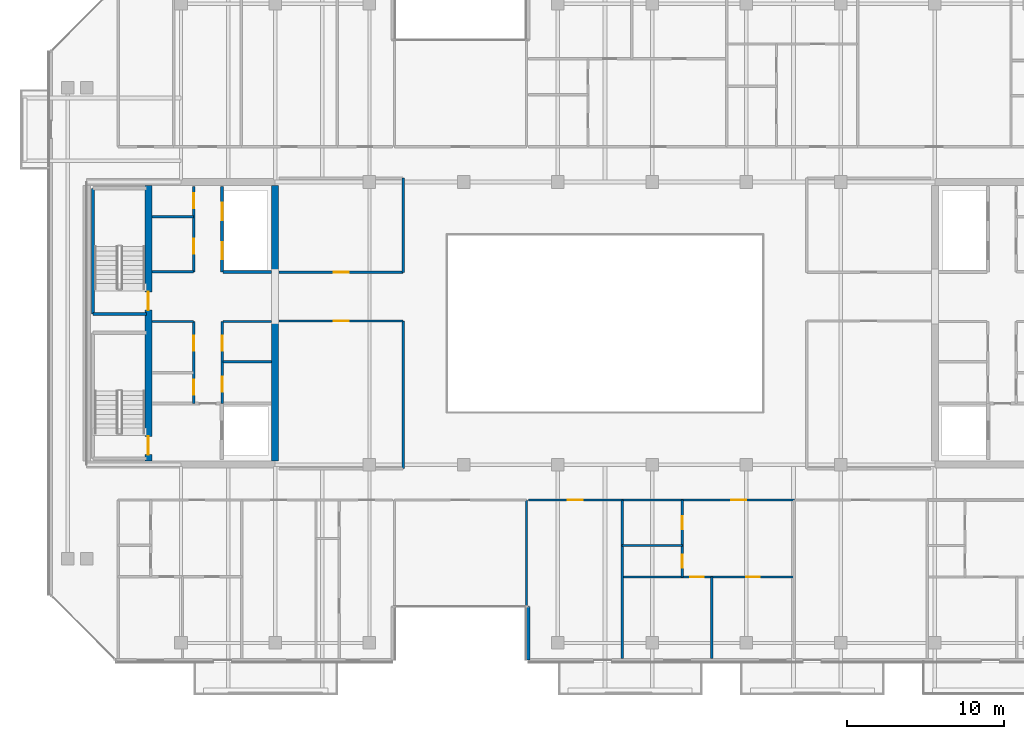
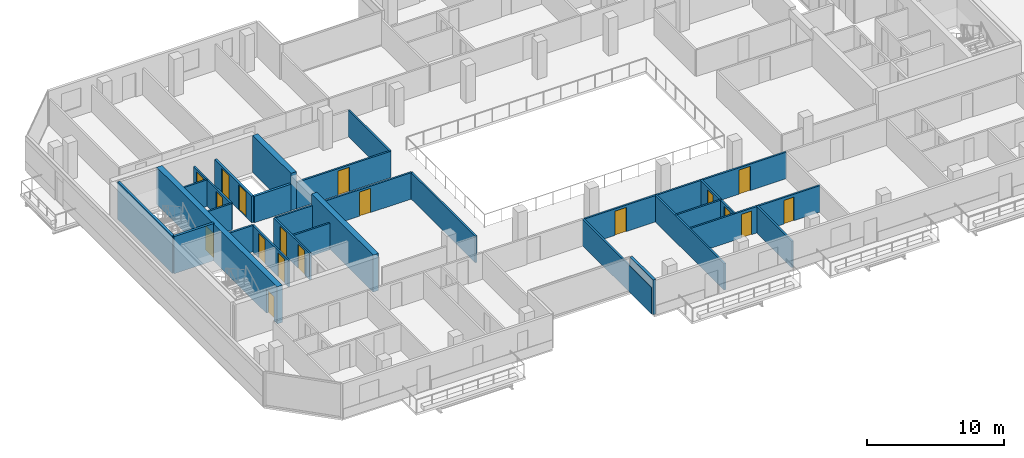
# One storey, part 19 of 29: 28 walls, 18 doors, 18 openings.
"""IFC4 building model written with IfcOpenShell, lengths in metres."""

from ifc_helpers import new_model, si_unit, direction, frame, frame_2d, origin, place, context, subcontext, project, spatial, rectangle, extrude, material, layer, layer_set, type_object, element, fill, save


model = new_model("IFC4")

# Units and contexts
model_context = context("Model", 3, precision=1e-05, world=origin(), true_north=direction((0.0, 1.0)))
body_context = subcontext(model_context, "Body", "Model", "MODEL_VIEW")
ifc_project = project(units=[si_unit("LENGTHUNIT", "METRE"), si_unit("AREAUNIT", "SQUARE_METRE"), si_unit("VOLUMEUNIT", "CUBIC_METRE"), si_unit("PLANEANGLEUNIT", "RADIAN"), si_unit("MASSUNIT", "GRAM", prefix="KILO")], contexts=[model_context])

# Site, building, storey
site_placement = place(None, origin())
site = spatial("IfcSite", under=ifc_project, at=site_placement, CompositionType="ELEMENT")
building_placement = place(site_placement, origin())
building = spatial("IfcBuilding", under=site, at=building_placement, Name="Tanjung Sevakor Pilgrim Tower", CompositionType="ELEMENT")
storey_placement = place(building_placement, frame((0.0, 0.0, 181.830078125)))
storey = spatial("IfcBuildingStorey", under=building, at=storey_placement, Name="L50", CompositionType="ELEMENT", Elevation=181.830078125)

# Walls
ifc_material_1 = material(Name="Concrete C60/75", Category="concrete")
ifc_layer_1 = layer(ifc_material_1, 0.449951171875)
ifc_layer_set_1 = layer_set([ifc_layer_1], Name="WALL-CW-450")
wall_type_1 = type_object("IfcWallType", Name="WALL-CW-450", PredefinedType="SHEAR", material=ifc_layer_set_1)
wall_1_placement = place(storey_placement, frame((36.0, 24.824951171875, 0.0), z_axis=(0.0, 0.0, 1.0), x_axis=(0.0, 1.0, 0.0)))
element("IfcWall", 1, at=wall_1_placement, inside=storey, type_object=wall_type_1, Name="L50 W Core Inner Shear Wall South", PredefinedType="SHEAR", context=body_context, shape_type="SweptSolid", body=[
    extrude(rectangle(XDim=8.97509765625, YDim=0.449951171875, at=frame_2d((4.487548828125, 0.0))), origin(), (0.0, 0.0, 1.0), 3.2998046875),
])
wall_2_placement = place(storey_placement, frame((36.0, 36.800048828125, 0.0), z_axis=(0.0, 0.0, 1.0), x_axis=(0.0, 1.0, 0.0)))
element("IfcWall", 2, at=wall_2_placement, inside=storey, type_object=wall_type_1, Name="L50 W Core Inner Shear Wall North", PredefinedType="SHEAR", context=body_context, shape_type="SweptSolid", body=[
    extrude(rectangle(XDim=5.574951171875, YDim=0.449951171875, at=frame_2d((2.78759765625, 0.0))), origin(), (0.0, 0.0, 1.0), 3.2998046875),
])

# Wall, openings, doors
wall_3_placement = place(storey_placement, frame((27.925048828125, 24.824951171875, 0.0), z_axis=(0.0, 0.0, 1.0), x_axis=(0.0, 1.0, 0.0)))
wall_3 = element("IfcWall", 3, at=wall_3_placement, inside=storey, type_object=wall_type_1, Name="L50 W Core Stair Spine Wall", PredefinedType="SHEAR", context=body_context, shape_type="SweptSolid", body=[
    extrude(rectangle(XDim=17.550048828125, YDim=0.449951171875, at=frame_2d((8.77490234375, 0.0))), origin(), (0.0, 0.0, 1.0), 3.2998046875),
])
opening_1_placement = place(wall_3_placement, frame((0.425048828125, 0.0, 0.0)))
opening_1 = element("IfcOpeningElement", 4, at=opening_1_placement, cuts=wall_3, Name="Opening ID-ST1", PredefinedType="OPENING", context=body_context, shape_type="SweptSolid", body=[
    extrude(rectangle(XDim=1.14990234375, YDim=2.14990234375, at=frame_2d((0.574951171875, 1.074951171875))), frame((0.0, 0.23486328125, 0.0), z_axis=(0.0, -1.0, 0.0), x_axis=(1.0, 0.0, 0.0)), (0.0, 0.0, 1.0), 0.469970703125),
])
opening_2_placement = place(wall_3_placement, frame((9.625, 0.0, 0.0)))
opening_2 = element("IfcOpeningElement", 5, at=opening_2_placement, cuts=wall_3, Name="Opening ID-ST1", PredefinedType="OPENING", context=body_context, shape_type="SweptSolid", body=[
    extrude(rectangle(XDim=1.14990234375, YDim=2.14990234375, at=frame_2d((0.574951171875, 1.074951171875))), frame((0.0, 0.23486328125, 0.0), z_axis=(0.0, -1.0, 0.0), x_axis=(1.0, 0.0, 0.0)), (0.0, 0.0, 1.0), 0.469970703125),
])
ifc_material_2 = material(Name="Fire-Rated Steel S355J2", Category="steel")
door_type_1 = type_object("IfcDoorType", Name="DT-FIRE-1150", OperationType="NOTDEFINED", PredefinedType="DOOR", material=ifc_material_2)
door_1_placement = place(opening_1_placement, origin())
door_1 = element("IfcDoor", 6, at=door_1_placement, inside=storey, type_object=door_type_1, Name="L50 TS-W1 Stair Fire Door", OperationType="SINGLE_SWING_RIGHT", OverallHeight=2.14990234375, OverallWidth=1.14990234375, PredefinedType="DOOR", context=body_context, shape_type="SweptSolid", body=[
    extrude(rectangle(XDim=1.14990234375, YDim=2.14990234375, at=frame_2d((0.574951171875, 1.074951171875))), frame((0.0, 0.02490234375, 0.0), z_axis=(0.0, -1.0, 0.0), x_axis=(1.0, 0.0, 0.0)), (0.0, 0.0, 1.0), 0.050048828125),
])
fill(opening_1, door_1)
door_2_placement = place(opening_2_placement, origin())
door_2 = element("IfcDoor", 7, at=door_2_placement, inside=storey, type_object=door_type_1, Name="L50 TS-W2 Stair Fire Door", OperationType="SINGLE_SWING_LEFT", OverallHeight=2.14990234375, OverallWidth=1.14990234375, PredefinedType="DOOR", context=body_context, shape_type="SweptSolid", body=[
    extrude(rectangle(XDim=1.14990234375, YDim=2.14990234375, at=frame_2d((0.574951171875, 1.074951171875))), frame((0.0, 0.02490234375, 0.0), z_axis=(0.0, -1.0, 0.0), x_axis=(1.0, 0.0, 0.0)), (0.0, 0.0, 1.0), 0.050048828125),
])
fill(opening_2, door_2)

# Wall
ifc_material_3 = material(Name="Concrete C40/50", Category="concrete")
ifc_layer_2 = layer(ifc_material_3, 0.14990234375)
ifc_layer_set_2 = layer_set([ifc_layer_2], Name="WT-COMP-150")
wall_type_2 = type_object("IfcWallType", Name="WT-COMP-150", PredefinedType="SOLIDWALL", material=ifc_layer_set_2)
wall_4_placement = place(storey_placement, frame((28.169921875, 33.719970703125, 0.0), z_axis=(0.0, 0.0, 1.0), x_axis=(1.0, 0.0, 0.0)))
element("IfcWall", 8, at=wall_4_placement, inside=storey, type_object=wall_type_2, Name="L50 Partition IW-L50-004", PredefinedType="SOLIDWALL", context=body_context, shape_type="SweptSolid", body=[
    extrude(rectangle(XDim=2.630126953125, YDim=0.14990234375, at=frame_2d((1.31494140625, 0.0))), origin(), (0.0, 0.0, 1.0), 2.35009765625),
])

# Wall, openings, doors
wall_5_placement = place(storey_placement, frame((30.820068359375, 28.5, 0.0), z_axis=(0.0, 0.0, 1.0), x_axis=(0.0, 1.0, 0.0)))
wall_5 = element("IfcWall", 9, at=wall_5_placement, inside=storey, type_object=wall_type_2, Name="L50 Partition IW-L50-005", PredefinedType="SOLIDWALL", context=body_context, shape_type="SweptSolid", body=[
    extrude(rectangle(XDim=5.219970703125, YDim=0.14990234375, at=frame_2d((2.60986328125, 0.0))), origin(), (0.0, 0.0, 1.0), 2.35009765625),
])
opening_3_placement = place(wall_5_placement, frame((0.550048828125, 0.0, 0.0)))
opening_3 = element("IfcOpeningElement", 10, at=opening_3_placement, cuts=wall_5, Name="Opening ID-FD2", PredefinedType="OPENING", context=body_context, shape_type="SweptSolid", body=[
    extrude(rectangle(XDim=0.949951171875, YDim=2.14990234375, at=frame_2d((0.47509765625, 1.074951171875))), frame((0.0, 0.0849609375, 0.0), z_axis=(0.0, -1.0, 0.0), x_axis=(1.0, 0.0, 0.0)), (0.0, 0.0, 1.0), 0.169921875),
])
opening_4_placement = place(wall_5_placement, frame((3.35009765625, 0.0, 0.0)))
opening_4 = element("IfcOpeningElement", 11, at=opening_4_placement, cuts=wall_5, Name="Opening ID-FD2", PredefinedType="OPENING", context=body_context, shape_type="SweptSolid", body=[
    extrude(rectangle(XDim=0.949951171875, YDim=2.14990234375, at=frame_2d((0.47509765625, 1.074951171875))), frame((0.0, 0.0849609375, 0.0), z_axis=(0.0, -1.0, 0.0), x_axis=(1.0, 0.0, 0.0)), (0.0, 0.0, 1.0), 0.169921875),
])
ifc_material_4 = material(Name="Fire-Rated Timber", Category="wood")
door_type_2 = type_object("IfcDoorType", Name="DT-FIRE-950", OperationType="NOTDEFINED", PredefinedType="DOOR", material=ifc_material_4)
door_3_placement = place(opening_3_placement, origin())
door_3 = element("IfcDoor", 12, at=door_3_placement, inside=storey, type_object=door_type_2, Name="L50 Cleaner Store Door", OperationType="SINGLE_SWING_LEFT", OverallHeight=2.14990234375, OverallWidth=0.949951171875, PredefinedType="DOOR", context=body_context, shape_type="SweptSolid", body=[
    extrude(rectangle(XDim=0.949951171875, YDim=2.14990234375, at=frame_2d((0.47509765625, 1.074951171875))), frame((0.0, 0.02490234375, 0.0), z_axis=(0.0, -1.0, 0.0), x_axis=(1.0, 0.0, 0.0)), (0.0, 0.0, 1.0), 0.050048828125),
])
fill(opening_3, door_3)
door_4_placement = place(opening_4_placement, origin())
door_4 = element("IfcDoor", 13, at=door_4_placement, inside=storey, type_object=door_type_2, Name="L50 Housekeeping Pantry Door", OperationType="SINGLE_SWING_RIGHT", OverallHeight=2.14990234375, OverallWidth=0.949951171875, PredefinedType="DOOR", context=body_context, shape_type="SweptSolid", body=[
    extrude(rectangle(XDim=0.949951171875, YDim=2.14990234375, at=frame_2d((0.47509765625, 1.074951171875))), frame((0.0, 0.02490234375, 0.0), z_axis=(0.0, -1.0, 0.0), x_axis=(1.0, 0.0, 0.0)), (0.0, 0.0, 1.0), 0.050048828125),
])
fill(opening_4, door_4)

# Walls
for number, where, z_axis, x_axis, name in (
    (14, (32.679931640625, 31.14990234375, 0.0), (0.0, 0.0, 1.0), (1.0, 0.0, 0.0), "L50 Partition IW-L50-006"),
    (15, (32.679931640625, 33.719970703125, 0.0), (0.0, 0.0, 1.0), (1.0, 0.0, 0.0), "L50 Partition IW-L50-007"),
):
    element("IfcWall", number, at=place(storey_placement, frame(where, z_axis=z_axis, x_axis=x_axis)), inside=storey, type_object=wall_type_2, Name=name, PredefinedType="SOLIDWALL", context=body_context, shape_type="SweptSolid", body=[
        extrude(rectangle(XDim=3.074951171875, YDim=0.14990234375, at=frame_2d((1.53759765625, 0.0))), origin(), (0.0, 0.0, 1.0), 2.35009765625),
    ])

# Wall, openings, doors
wall_6_placement = place(storey_placement, frame((32.6201171875, 28.5, 0.0), z_axis=(0.0, 0.0, 1.0), x_axis=(0.0, 1.0, 0.0)))
wall_6 = element("IfcWall", 16, at=wall_6_placement, inside=storey, type_object=wall_type_2, Name="L50 Partition IW-L50-008", PredefinedType="SOLIDWALL", context=body_context, shape_type="SweptSolid", body=[
    extrude(rectangle(XDim=5.219970703125, YDim=0.14990234375, at=frame_2d((2.60986328125, 0.0))), origin(), (0.0, 0.0, 1.0), 2.35009765625),
])
opening_5_placement = place(wall_6_placement, frame((0.75, 0.0, 0.0)))
opening_5 = element("IfcOpeningElement", 17, at=opening_5_placement, cuts=wall_6, Name="Opening ID-FD2", PredefinedType="OPENING", context=body_context, shape_type="SweptSolid", body=[
    extrude(rectangle(XDim=0.949951171875, YDim=2.14990234375, at=frame_2d((0.47509765625, 1.074951171875))), frame((0.0, 0.0849609375, 0.0), z_axis=(0.0, -1.0, 0.0), x_axis=(1.0, 0.0, 0.0)), (0.0, 0.0, 1.0), 0.169921875),
])
opening_6_placement = place(wall_6_placement, frame((3.35009765625, 0.0, 0.0)))
opening_6 = element("IfcOpeningElement", 18, at=opening_6_placement, cuts=wall_6, Name="Opening ID-FD2", PredefinedType="OPENING", context=body_context, shape_type="SweptSolid", body=[
    extrude(rectangle(XDim=0.949951171875, YDim=2.14990234375, at=frame_2d((0.47509765625, 1.074951171875))), frame((0.0, 0.0849609375, 0.0), z_axis=(0.0, -1.0, 0.0), x_axis=(1.0, 0.0, 0.0)), (0.0, 0.0, 1.0), 0.169921875),
])
door_5_placement = place(opening_5_placement, origin())
door_5 = element("IfcDoor", 19, at=door_5_placement, inside=storey, type_object=door_type_2, Name="L50 Accessible WC Door", OperationType="SINGLE_SWING_LEFT", OverallHeight=2.14990234375, OverallWidth=0.949951171875, PredefinedType="DOOR", context=body_context, shape_type="SweptSolid", body=[
    extrude(rectangle(XDim=0.949951171875, YDim=2.14990234375, at=frame_2d((0.47509765625, 1.074951171875))), frame((0.0, 0.02490234375, 0.0), z_axis=(0.0, -1.0, 0.0), x_axis=(1.0, 0.0, 0.0)), (0.0, 0.0, 1.0), 0.050048828125),
])
fill(opening_5, door_5)
door_6_placement = place(opening_6_placement, origin())
door_6 = element("IfcDoor", 20, at=door_6_placement, inside=storey, type_object=door_type_2, Name="L50 Core Service Door", OperationType="SINGLE_SWING_RIGHT", OverallHeight=2.14990234375, OverallWidth=0.949951171875, PredefinedType="DOOR", context=body_context, shape_type="SweptSolid", body=[
    extrude(rectangle(XDim=0.949951171875, YDim=2.14990234375, at=frame_2d((0.47509765625, 1.074951171875))), frame((0.0, 0.02490234375, 0.0), z_axis=(0.0, -1.0, 0.0), x_axis=(1.0, 0.0, 0.0)), (0.0, 0.0, 1.0), 0.050048828125),
])
fill(opening_6, door_6)

# Walls
for number, where, z_axis, x_axis, name in (
    (21, (28.169921875, 36.8798828125, 0.0), (0.0, 0.0, 1.0), (1.0, 0.0, 0.0), "L50 Partition IW-L50-009"),
    (22, (28.169921875, 40.389892578125, 0.0), (0.0, 0.0, 1.0), (1.0, 0.0, 0.0), "L50 Partition IW-L50-010"),
):
    element("IfcWall", number, at=place(storey_placement, frame(where, z_axis=z_axis, x_axis=x_axis)), inside=storey, type_object=wall_type_2, Name=name, PredefinedType="SOLIDWALL", context=body_context, shape_type="SweptSolid", body=[
        extrude(rectangle(XDim=2.630126953125, YDim=0.14990234375, at=frame_2d((1.31494140625, 0.0))), origin(), (0.0, 0.0, 1.0), 2.35009765625),
    ])

# Wall, openings, doors
wall_7_placement = place(storey_placement, frame((30.820068359375, 36.8798828125, 0.0), z_axis=(0.0, 0.0, 1.0), x_axis=(0.0, 1.0, 0.0)))
wall_7 = element("IfcWall", 23, at=wall_7_placement, inside=storey, type_object=wall_type_2, Name="L50 Partition IW-L50-011", PredefinedType="SOLIDWALL", context=body_context, shape_type="SweptSolid", body=[
    extrude(rectangle(XDim=5.420166015625, YDim=0.14990234375, at=frame_2d((2.7099609375, 0.0))), origin(), (0.0, 0.0, 1.0), 2.35009765625),
])
opening_7_placement = place(wall_7_placement, frame((1.14990234375, 0.0, 0.0)))
opening_7 = element("IfcOpeningElement", 24, at=opening_7_placement, cuts=wall_7, Name="Opening ID-FD2", PredefinedType="OPENING", context=body_context, shape_type="SweptSolid", body=[
    extrude(rectangle(XDim=0.949951171875, YDim=2.14990234375, at=frame_2d((0.47509765625, 1.074951171875))), frame((0.0, 0.0849609375, 0.0), z_axis=(0.0, -1.0, 0.0), x_axis=(1.0, 0.0, 0.0)), (0.0, 0.0, 1.0), 0.169921875),
])
opening_8_placement = place(wall_7_placement, frame((4.050048828125, 0.0, 0.0)))
opening_8 = element("IfcOpeningElement", 25, at=opening_8_placement, cuts=wall_7, Name="Opening ID-FD2", PredefinedType="OPENING", context=body_context, shape_type="SweptSolid", body=[
    extrude(rectangle(XDim=0.949951171875, YDim=2.14990234375, at=frame_2d((0.47509765625, 1.074951171875))), frame((0.0, 0.0849609375, 0.0), z_axis=(0.0, -1.0, 0.0), x_axis=(1.0, 0.0, 0.0)), (0.0, 0.0, 1.0), 0.169921875),
])
door_7_placement = place(opening_7_placement, origin())
door_7 = element("IfcDoor", 26, at=door_7_placement, inside=storey, type_object=door_type_2, Name="L50 Core Study Room Door", OperationType="SINGLE_SWING_LEFT", OverallHeight=2.14990234375, OverallWidth=0.949951171875, PredefinedType="DOOR", context=body_context, shape_type="SweptSolid", body=[
    extrude(rectangle(XDim=0.949951171875, YDim=2.14990234375, at=frame_2d((0.47509765625, 1.074951171875))), frame((0.0, 0.02490234375, 0.0), z_axis=(0.0, -1.0, 0.0), x_axis=(1.0, 0.0, 0.0)), (0.0, 0.0, 1.0), 0.050048828125),
])
fill(opening_7, door_7)
door_8_placement = place(opening_8_placement, origin())
door_8 = element("IfcDoor", 27, at=door_8_placement, inside=storey, type_object=door_type_2, Name="L50 Service Store Door", OperationType="SINGLE_SWING_RIGHT", OverallHeight=2.14990234375, OverallWidth=0.949951171875, PredefinedType="DOOR", context=body_context, shape_type="SweptSolid", body=[
    extrude(rectangle(XDim=0.949951171875, YDim=2.14990234375, at=frame_2d((0.47509765625, 1.074951171875))), frame((0.0, 0.02490234375, 0.0), z_axis=(0.0, -1.0, 0.0), x_axis=(1.0, 0.0, 0.0)), (0.0, 0.0, 1.0), 0.050048828125),
])
fill(opening_8, door_8)

# Wall, opening, door
wall_8_placement = place(storey_placement, frame((36.2451171875, 33.75, 0.0), z_axis=(0.0, 0.0, 1.0), x_axis=(1.0, 0.0, 0.0)))
wall_8 = element("IfcWall", 28, at=wall_8_placement, inside=storey, type_object=wall_type_2, Name="L50 Partition IW-L50-028", PredefinedType="SOLIDWALL", context=body_context, shape_type="SweptSolid", body=[
    extrude(rectangle(XDim=7.90478515625, YDim=0.14990234375, at=frame_2d((3.952392578125, 0.0))), origin(), (0.0, 0.0, 1.0), 2.35009765625),
])
opening_9_placement = place(wall_8_placement, frame((3.4775390625, 0.0, 0.0)))
opening_9 = element("IfcOpeningElement", 29, at=opening_9_placement, cuts=wall_8, Name="Opening ID-RM1", PredefinedType="OPENING", context=body_context, shape_type="SweptSolid", body=[
    extrude(rectangle(XDim=0.949951171875, YDim=2.14990234375, at=frame_2d((0.47509765625, 1.074951171875))), frame((0.0, 0.0849609375, 0.0), z_axis=(0.0, -1.0, 0.0), x_axis=(1.0, 0.0, 0.0)), (0.0, 0.0, 1.0), 0.169921875),
])
ifc_material_5 = material(Name="Hardwood Timber", Category="wood")
door_type_3 = type_object("IfcDoorType", Name="DT-INT-950", OperationType="NOTDEFINED", PredefinedType="DOOR", material=ifc_material_5)
door_9_placement = place(opening_9_placement, origin())
door_9 = element("IfcDoor", 30, at=door_9_placement, inside=storey, type_object=door_type_3, Name="L50 West Inboard South Door", OperationType="SINGLE_SWING_LEFT", OverallHeight=2.14990234375, OverallWidth=0.949951171875, PredefinedType="DOOR", context=body_context, shape_type="SweptSolid", body=[
    extrude(rectangle(XDim=0.949951171875, YDim=2.14990234375, at=frame_2d((0.47509765625, 1.074951171875))), frame((0.0, 0.02490234375, 0.0), z_axis=(0.0, -1.0, 0.0), x_axis=(1.0, 0.0, 0.0)), (0.0, 0.0, 1.0), 0.050048828125),
])
fill(opening_9, door_9)

# Wall
wall_9_placement = place(storey_placement, frame((44.14990234375, 24.35009765625, 0.0), z_axis=(0.0, 0.0, 1.0), x_axis=(0.0, 1.0, 0.0)))
element("IfcWall", 31, at=wall_9_placement, inside=storey, type_object=wall_type_2, Name="L50 Partition IW-L50-029", PredefinedType="SOLIDWALL", context=body_context, shape_type="SweptSolid", body=[
    extrude(rectangle(XDim=9.39990234375, YDim=0.14990234375, at=frame_2d((4.699951171875, 0.0))), origin(), (0.0, 0.0, 1.0), 2.35009765625),
])

# Wall, opening, door
wall_10_placement = place(storey_placement, frame((36.2451171875, 36.85009765625, 0.0), z_axis=(0.0, 0.0, 1.0), x_axis=(1.0, 0.0, 0.0)))
wall_10 = element("IfcWall", 32, at=wall_10_placement, inside=storey, type_object=wall_type_2, Name="L50 Partition IW-L50-030", PredefinedType="SOLIDWALL", context=body_context, shape_type="SweptSolid", body=[
    extrude(rectangle(XDim=7.90478515625, YDim=0.14990234375, at=frame_2d((3.952392578125, 0.0))), origin(), (0.0, 0.0, 1.0), 2.35009765625),
])
opening_10_placement = place(wall_10_placement, frame((3.4775390625, 0.0, 0.0)))
opening_10 = element("IfcOpeningElement", 33, at=opening_10_placement, cuts=wall_10, Name="Opening ID-RM1", PredefinedType="OPENING", context=body_context, shape_type="SweptSolid", body=[
    extrude(rectangle(XDim=0.949951171875, YDim=2.14990234375, at=frame_2d((0.47509765625, 1.074951171875))), frame((0.0, 0.0849609375, 0.0), z_axis=(0.0, -1.0, 0.0), x_axis=(1.0, 0.0, 0.0)), (0.0, 0.0, 1.0), 0.169921875),
])
door_10_placement = place(opening_10_placement, origin())
door_10 = element("IfcDoor", 34, at=door_10_placement, inside=storey, type_object=door_type_3, Name="L50 West Inboard North Door", OperationType="SINGLE_SWING_RIGHT", OverallHeight=2.14990234375, OverallWidth=0.949951171875, PredefinedType="DOOR", context=body_context, shape_type="SweptSolid", body=[
    extrude(rectangle(XDim=0.949951171875, YDim=2.14990234375, at=frame_2d((0.47509765625, 1.074951171875))), frame((0.0, 0.02490234375, 0.0), z_axis=(0.0, -1.0, 0.0), x_axis=(1.0, 0.0, 0.0)), (0.0, 0.0, 1.0), 0.050048828125),
])
fill(opening_10, door_10)

# Walls
wall_11_placement = place(storey_placement, frame((44.14990234375, 36.85009765625, 0.0), z_axis=(0.0, 0.0, 1.0), x_axis=(0.0, 1.0, 0.0)))
element("IfcWall", 35, at=wall_11_placement, inside=storey, type_object=wall_type_2, Name="L50 Partition IW-L50-032", PredefinedType="SOLIDWALL", context=body_context, shape_type="SweptSolid", body=[
    extrude(rectangle(XDim=6.0, YDim=0.14990234375, at=frame_2d((3.0, 0.0))), origin(), (0.0, 0.0, 1.0), 2.35009765625),
])
for number, where, z_axis, x_axis, name in (
    (36, (52.0, 12.27001953125, 0.0), (0.0, 0.0, 1.0), (0.0, 1.0, 0.0), "L50 Partition IW-L50-041"),
    (37, (58.096435546875, 12.27001953125, 0.0), (0.0, 0.0, 1.0), (0.0, 1.0, 0.0), "L50 Partition IW-L50-058"),
):
    element("IfcWall", number, at=place(storey_placement, frame(where, z_axis=z_axis, x_axis=x_axis)), inside=storey, type_object=wall_type_2, Name=name, PredefinedType="SOLIDWALL", context=body_context, shape_type="SweptSolid", body=[
        extrude(rectangle(XDim=10.080078125, YDim=0.14990234375, at=frame_2d((5.0400390625, 0.0))), origin(), (0.0, 0.0, 1.0), 2.35009765625),
    ])

# Wall, opening, door
wall_12_placement = place(storey_placement, frame((52.1201171875, 22.35009765625, 0.0), z_axis=(0.0, 0.0, 1.0), x_axis=(1.0, 0.0, 0.0)))
wall_12 = element("IfcWall", 38, at=wall_12_placement, inside=storey, type_object=wall_type_2, Name="L50 Partition IW-L50-059", PredefinedType="SOLIDWALL", context=body_context, shape_type="SweptSolid", body=[
    extrude(rectangle(XDim=5.976318359375, YDim=0.14990234375, at=frame_2d((2.98828125, 0.0))), origin(), (0.0, 0.0, 1.0), 2.35009765625),
])
opening_11_placement = place(wall_12_placement, frame((2.51318359375, 0.0, 0.0)))
opening_11 = element("IfcOpeningElement", 39, at=opening_11_placement, cuts=wall_12, Name="Opening ID-FD2", PredefinedType="OPENING", context=body_context, shape_type="SweptSolid", body=[
    extrude(rectangle(XDim=0.949951171875, YDim=2.14990234375, at=frame_2d((0.47509765625, 1.074951171875))), frame((0.0, 0.0849609375, 0.0), z_axis=(0.0, -1.0, 0.0), x_axis=(1.0, 0.0, 0.0)), (0.0, 0.0, 1.0), 0.169921875),
])
door_11_placement = place(opening_11_placement, origin())
door_11 = element("IfcDoor", 40, at=door_11_placement, inside=storey, type_object=door_type_2, Name="Housekeeping Pantry Door", OperationType="SINGLE_SWING_RIGHT", OverallHeight=2.14990234375, OverallWidth=0.949951171875, PredefinedType="DOOR", context=body_context, shape_type="SweptSolid", body=[
    extrude(rectangle(XDim=0.949951171875, YDim=2.14990234375, at=frame_2d((0.47509765625, 1.074951171875))), frame((0.0, 0.02490234375, 0.0), z_axis=(0.0, -1.0, 0.0), x_axis=(1.0, 0.0, 0.0)), (0.0, 0.0, 1.0), 0.050048828125),
])
fill(opening_11, door_11)

wall_13_placement = place(storey_placement, frame((58.096435546875, 22.35009765625, 0.0), z_axis=(0.0, 0.0, 1.0), x_axis=(1.0, 0.0, 0.0)))
wall_13 = element("IfcWall", 41, at=wall_13_placement, inside=storey, type_object=wall_type_2, Name="L50 Partition IW-L50-065", PredefinedType="SOLIDWALL", context=body_context, shape_type="SweptSolid", body=[
    extrude(rectangle(XDim=10.956787109375, YDim=0.14990234375, at=frame_2d((5.478515625, 0.0))), origin(), (0.0, 0.0, 1.0), 2.35009765625),
])
opening_12_placement = place(wall_13_placement, frame((6.955078125, 0.0, 0.0)))
opening_12 = element("IfcOpeningElement", 42, at=opening_12_placement, cuts=wall_13, Name="Opening ID-FD2", PredefinedType="OPENING", context=body_context, shape_type="SweptSolid", body=[
    extrude(rectangle(XDim=0.949951171875, YDim=2.14990234375, at=frame_2d((0.47509765625, 1.074951171875))), frame((0.0, 0.0849609375, 0.0), z_axis=(0.0, -1.0, 0.0), x_axis=(1.0, 0.0, 0.0)), (0.0, 0.0, 1.0), 0.169921875),
])
door_12_placement = place(opening_12_placement, origin())
door_12 = element("IfcDoor", 43, at=door_12_placement, inside=storey, type_object=door_type_2, Name="Suite Entrance", OperationType="SINGLE_SWING_LEFT", OverallHeight=2.14990234375, OverallWidth=0.949951171875, PredefinedType="DOOR", context=body_context, shape_type="SweptSolid", body=[
    extrude(rectangle(XDim=0.949951171875, YDim=2.14990234375, at=frame_2d((0.47509765625, 1.074951171875))), frame((0.0, 0.02490234375, 0.0), z_axis=(0.0, -1.0, 0.0), x_axis=(1.0, 0.0, 0.0)), (0.0, 0.0, 1.0), 0.050048828125),
])
fill(opening_12, door_12)

# Walls
ifc_material_6 = material(Name="Precast concrete C45/55", Category="concrete")
ifc_layer_3 = layer(ifc_material_6, 0.219970703125)
ifc_layer_set_3 = layer_set([ifc_layer_3], Name="WT-EW-STN4")
wall_type_3 = type_object("IfcWallType", Name="WT-EW-STN4", PredefinedType="SOLIDWALL", material=ifc_layer_set_3)
wall_14_placement = place(storey_placement, frame((52.110107421875, 15.56005859375, 0.0), z_axis=(0.0, 0.0, 1.0), x_axis=(0.0, -1.0, 0.0)))
element("IfcWall", 44, at=wall_14_placement, inside=storey, type_object=wall_type_3, Name="L50 MAIN Exterior Wall 4", PredefinedType="SOLIDWALL", context=body_context, shape_type="SweptSolid", body=[
    extrude(rectangle(XDim=3.400146484375, YDim=0.219970703125, at=frame_2d((1.7001953125, 0.0))), origin(), (0.0, 0.0, 1.0), 3.080078125),
])
ifc_material_7 = material(Name="Concrete C40/50", Category="concrete")
ifc_layer_4 = layer(ifc_material_7, 0.199951171875)
ifc_layer_set_4 = layer_set([ifc_layer_4], Name="WT-FIRE-200")
wall_type_4 = type_object("IfcWallType", Name="WT-FIRE-200", PredefinedType="SOLIDWALL", material=ifc_layer_set_4)
wall_15_placement = place(storey_placement, frame((24.39990234375, 34.199951171875, 0.0), z_axis=(0.0, 0.0, 1.0), x_axis=(1.0, 0.0, 0.0)))
element("IfcWall", 45, at=wall_15_placement, inside=storey, type_object=wall_type_4, Name="L50 TS-W2 Shaft Wall 1", PredefinedType="SOLIDWALL", context=body_context, shape_type="SweptSolid", body=[
    extrude(rectangle(XDim=3.400146484375, YDim=0.199951171875, at=frame_2d((1.7001953125, 0.0))), origin(), (0.0, 0.0, 1.0), 3.2998046875),
])
wall_16_placement = place(storey_placement, frame((24.39990234375, 42.199951171875, 0.0), z_axis=(0.0, 0.0, 1.0), x_axis=(0.0, -1.0, 0.0)))
element("IfcWall", 46, at=wall_16_placement, inside=storey, type_object=wall_type_4, Name="L50 TS-W2 Shaft Wall 3", PredefinedType="SOLIDWALL", context=body_context, shape_type="SweptSolid", body=[
    extrude(rectangle(XDim=8.0, YDim=0.199951171875, at=frame_2d((4.0, 0.0))), origin(), (0.0, 0.0, 1.0), 3.2998046875),
])
ifc_material_8 = material(Name="Concrete C40/50", Category="concrete")
ifc_layer_5 = layer(ifc_material_8, 0.199951171875)
ifc_layer_set_5 = layer_set([ifc_layer_5], Name="WT-FPRT-200")
wall_type_5 = type_object("IfcWallType", Name="WT-FPRT-200", PredefinedType="SOLIDWALL", material=ifc_layer_set_5)
wall_17_placement = place(storey_placement, frame((32.679931640625, 36.8798828125, 0.0), z_axis=(0.0, 0.0, 1.0), x_axis=(1.0, 0.0, 0.0)))
element("IfcWall", 47, at=wall_17_placement, inside=storey, type_object=wall_type_5, Name="L50 Partition IW-L50-012", PredefinedType="SOLIDWALL", context=body_context, shape_type="SweptSolid", body=[
    extrude(rectangle(XDim=3.074951171875, YDim=0.199951171875, at=frame_2d((1.53759765625, 0.0))), origin(), (0.0, 0.0, 1.0), 2.35009765625),
])

# Wall, openings, doors
wall_18_placement = place(storey_placement, frame((32.6201171875, 36.8798828125, 0.0), z_axis=(0.0, 0.0, 1.0), x_axis=(0.0, 1.0, 0.0)))
wall_18 = element("IfcWall", 48, at=wall_18_placement, inside=storey, type_object=wall_type_5, Name="L50 Partition IW-L50-013", PredefinedType="SOLIDWALL", context=body_context, shape_type="SweptSolid", body=[
    extrude(rectangle(XDim=5.420166015625, YDim=0.199951171875, at=frame_2d((2.7099609375, 0.0))), origin(), (0.0, 0.0, 1.0), 2.35009765625),
])
opening_13_placement = place(wall_18_placement, frame((0.800048828125, 0.0, 0.0)))
opening_13 = element("IfcOpeningElement", 49, at=opening_13_placement, cuts=wall_18, Name="Opening LD-1100", PredefinedType="OPENING", context=body_context, shape_type="SweptSolid", body=[
    extrude(rectangle(XDim=1.10009765625, YDim=2.199951171875, at=frame_2d((0.550048828125, 1.10009765625))), frame((0.0, 0.10986328125, 0.0), z_axis=(0.0, -1.0, 0.0), x_axis=(1.0, 0.0, 0.0)), (0.0, 0.0, 1.0), 0.219970703125),
])
opening_14_placement = place(wall_18_placement, frame((3.300048828125, 0.0, 0.0)))
opening_14 = element("IfcOpeningElement", 50, at=opening_14_placement, cuts=wall_18, Name="Opening LD-1100", PredefinedType="OPENING", context=body_context, shape_type="SweptSolid", body=[
    extrude(rectangle(XDim=1.10009765625, YDim=2.199951171875, at=frame_2d((0.550048828125, 1.10009765625))), frame((0.0, 0.10986328125, 0.0), z_axis=(0.0, -1.0, 0.0), x_axis=(1.0, 0.0, 0.0)), (0.0, 0.0, 1.0), 0.219970703125),
])
ifc_material_9 = material(Name="Brushed Stainless Steel S355J2", Category="steel")
door_type_4 = type_object("IfcDoorType", Name="DT-LIFT-1100", OperationType="SLIDING_TO_LEFT", PredefinedType="DOOR", material=ifc_material_9)
door_13_placement = place(opening_13_placement, origin())
door_13 = element("IfcDoor", 51, at=door_13_placement, inside=storey, type_object=door_type_4, Name="LD-PLH1-W", OperationType="SLIDING_TO_LEFT", OverallHeight=2.199951171875, OverallWidth=1.10009765625, PredefinedType="DOOR", context=body_context, shape_type="SweptSolid", body=[
    extrude(rectangle(XDim=1.10009765625, YDim=2.199951171875, at=frame_2d((0.550048828125, 1.10009765625))), frame((0.0, 0.02490234375, 0.0), z_axis=(0.0, -1.0, 0.0), x_axis=(1.0, 0.0, 0.0)), (0.0, 0.0, 1.0), 0.050048828125),
])
fill(opening_13, door_13)
door_14_placement = place(opening_14_placement, origin())
door_14 = element("IfcDoor", 52, at=door_14_placement, inside=storey, type_object=door_type_4, Name="LD-PLH2-W", OperationType="SLIDING_TO_RIGHT", OverallHeight=2.199951171875, OverallWidth=1.10009765625, PredefinedType="DOOR", context=body_context, shape_type="SweptSolid", body=[
    extrude(rectangle(XDim=1.10009765625, YDim=2.199951171875, at=frame_2d((0.550048828125, 1.10009765625))), frame((0.0, 0.02490234375, 0.0), z_axis=(0.0, -1.0, 0.0), x_axis=(1.0, 0.0, 0.0)), (0.0, 0.0, 1.0), 0.050048828125),
])
fill(opening_14, door_14)

# Wall
ifc_material_10 = material(Name="Gypsum Board Partition", Category="gypsum board")
ifc_layer_6 = layer(ifc_material_10, 0.14990234375)
ifc_layer_set_6 = layer_set([ifc_layer_6], Name="WT-PART-150")
wall_type_6 = type_object("IfcWallType", Name="WT-PART-150", PredefinedType="PARTITIONING", material=ifc_layer_set_6)
wall_19_placement = place(storey_placement, frame((58.096435546875, 19.45751953125, 0.0), z_axis=(0.0, 0.0, 1.0), x_axis=(1.0, 0.0, 0.0)))
element("IfcWall", 53, at=wall_19_placement, inside=storey, type_object=wall_type_6, Name="L50 Partition IW-L50-061", PredefinedType="PARTITIONING", context=body_context, shape_type="SweptSolid", body=[
    extrude(rectangle(XDim=3.823486328125, YDim=0.14990234375, at=frame_2d((1.91162109375, 0.0))), origin(), (0.0, 0.0, 1.0), 2.35009765625),
])

# Wall, openings, doors
wall_20_placement = place(storey_placement, frame((61.919921875, 17.44775390625, 0.0), z_axis=(0.0, 0.0, 1.0), x_axis=(0.0, 1.0, 0.0)))
wall_20 = element("IfcWall", 54, at=wall_20_placement, inside=storey, type_object=wall_type_6, Name="L50 Partition IW-L50-062", PredefinedType="PARTITIONING", context=body_context, shape_type="SweptSolid", body=[
    extrude(rectangle(XDim=4.90234375, YDim=0.14990234375, at=frame_2d((2.451171875, 0.0))), origin(), (0.0, 0.0, 1.0), 2.35009765625),
])
opening_15_placement = place(wall_20_placement, frame((0.579833984375, 0.0, 0.0)))
opening_15 = element("IfcOpeningElement", 55, at=opening_15_placement, cuts=wall_20, Name="Opening ID-WC1", PredefinedType="OPENING", context=body_context, shape_type="SweptSolid", body=[
    extrude(rectangle(XDim=0.85009765625, YDim=2.10009765625, at=frame_2d((0.425048828125, 1.050048828125))), frame((0.0, 0.0849609375, 0.0), z_axis=(0.0, -1.0, 0.0), x_axis=(1.0, 0.0, 0.0)), (0.0, 0.0, 1.0), 0.169921875),
])
opening_16_placement = place(wall_20_placement, frame((3.031005859375, 0.0, 0.0)))
opening_16 = element("IfcOpeningElement", 56, at=opening_16_placement, cuts=wall_20, Name="Opening ID-WC1", PredefinedType="OPENING", context=body_context, shape_type="SweptSolid", body=[
    extrude(rectangle(XDim=0.85009765625, YDim=2.10009765625, at=frame_2d((0.425048828125, 1.050048828125))), frame((0.0, 0.0849609375, 0.0), z_axis=(0.0, -1.0, 0.0), x_axis=(1.0, 0.0, 0.0)), (0.0, 0.0, 1.0), 0.169921875),
])
ifc_material_11 = material(Name="Moisture-Resistant Timber", Category="wood")
door_type_5 = type_object("IfcDoorType", Name="DT-INT-850", OperationType="NOTDEFINED", PredefinedType="DOOR", material=ifc_material_11)
door_15_placement = place(opening_15_placement, origin())
door_15 = element("IfcDoor", 57, at=door_15_placement, inside=storey, type_object=door_type_5, Name="Suite Bathroom Door", OperationType="SINGLE_SWING_LEFT", OverallHeight=2.10009765625, OverallWidth=0.85009765625, PredefinedType="DOOR", context=body_context, shape_type="SweptSolid", body=[
    extrude(rectangle(XDim=0.85009765625, YDim=2.10009765625, at=frame_2d((0.425048828125, 1.050048828125))), frame((0.0, 0.02490234375, 0.0), z_axis=(0.0, -1.0, 0.0), x_axis=(1.0, 0.0, 0.0)), (0.0, 0.0, 1.0), 0.050048828125),
])
fill(opening_15, door_15)
door_16_placement = place(opening_16_placement, origin())
door_16 = element("IfcDoor", 58, at=door_16_placement, inside=storey, type_object=door_type_5, Name="Suite Kitchenette Door", OperationType="SINGLE_SWING_RIGHT", OverallHeight=2.10009765625, OverallWidth=0.85009765625, PredefinedType="DOOR", context=body_context, shape_type="SweptSolid", body=[
    extrude(rectangle(XDim=0.85009765625, YDim=2.10009765625, at=frame_2d((0.425048828125, 1.050048828125))), frame((0.0, 0.02490234375, 0.0), z_axis=(0.0, -1.0, 0.0), x_axis=(1.0, 0.0, 0.0)), (0.0, 0.0, 1.0), 0.050048828125),
])
fill(opening_16, door_16)

# Wall
wall_21_placement = place(storey_placement, frame((63.7939453125, 12.27001953125, 0.0), z_axis=(0.0, 0.0, 1.0), x_axis=(0.0, 1.0, 0.0)))
element("IfcWall", 59, at=wall_21_placement, inside=storey, type_object=wall_type_6, Name="L50 Partition IW-L50-063", PredefinedType="PARTITIONING", context=body_context, shape_type="SweptSolid", body=[
    extrude(rectangle(XDim=5.177734375, YDim=0.14990234375, at=frame_2d((2.5888671875, 0.0))), origin(), (0.0, 0.0, 1.0), 2.35009765625),
])

# Wall, openings, doors
wall_22_placement = place(storey_placement, frame((58.096435546875, 17.44775390625, 0.0), z_axis=(0.0, 0.0, 1.0), x_axis=(1.0, 0.0, 0.0)))
wall_22 = element("IfcWall", 60, at=wall_22_placement, inside=storey, type_object=wall_type_6, Name="L50 Partition IW-L50-064", PredefinedType="PARTITIONING", context=body_context, shape_type="SweptSolid", body=[
    extrude(rectangle(XDim=10.956787109375, YDim=0.14990234375, at=frame_2d((5.478515625, 0.0))), origin(), (0.0, 0.0, 1.0), 2.35009765625),
])
opening_17_placement = place(wall_22_placement, frame((4.33544921875, 0.0, 0.0)))
opening_17 = element("IfcOpeningElement", 61, at=opening_17_placement, cuts=wall_22, Name="Opening ID-WC1", PredefinedType="OPENING", context=body_context, shape_type="SweptSolid", body=[
    extrude(rectangle(XDim=0.85009765625, YDim=2.10009765625, at=frame_2d((0.425048828125, 1.050048828125))), frame((0.0, 0.0849609375, 0.0), z_axis=(0.0, -1.0, 0.0), x_axis=(1.0, 0.0, 0.0)), (0.0, 0.0, 1.0), 0.169921875),
])
opening_18_placement = place(wall_22_placement, frame((7.902099609375, 0.0, 0.0)))
opening_18 = element("IfcOpeningElement", 62, at=opening_18_placement, cuts=wall_22, Name="Opening ID-WC1", PredefinedType="OPENING", context=body_context, shape_type="SweptSolid", body=[
    extrude(rectangle(XDim=0.85009765625, YDim=2.10009765625, at=frame_2d((0.425048828125, 1.050048828125))), frame((0.0, 0.0849609375, 0.0), z_axis=(0.0, -1.0, 0.0), x_axis=(1.0, 0.0, 0.0)), (0.0, 0.0, 1.0), 0.169921875),
])
door_17_placement = place(opening_17_placement, origin())
door_17 = element("IfcDoor", 63, at=door_17_placement, inside=storey, type_object=door_type_5, Name="Suite Bedroom 1 Door", OperationType="SINGLE_SWING_LEFT", OverallHeight=2.10009765625, OverallWidth=0.85009765625, PredefinedType="DOOR", context=body_context, shape_type="SweptSolid", body=[
    extrude(rectangle(XDim=0.85009765625, YDim=2.10009765625, at=frame_2d((0.425048828125, 1.050048828125))), frame((0.0, 0.02490234375, 0.0), z_axis=(0.0, -1.0, 0.0), x_axis=(1.0, 0.0, 0.0)), (0.0, 0.0, 1.0), 0.050048828125),
])
fill(opening_17, door_17)
door_18_placement = place(opening_18_placement, origin())
door_18 = element("IfcDoor", 64, at=door_18_placement, inside=storey, type_object=door_type_5, Name="Suite Bedroom 2 Door", OperationType="SINGLE_SWING_RIGHT", OverallHeight=2.10009765625, OverallWidth=0.85009765625, PredefinedType="DOOR", context=body_context, shape_type="SweptSolid", body=[
    extrude(rectangle(XDim=0.85009765625, YDim=2.10009765625, at=frame_2d((0.425048828125, 1.050048828125))), frame((0.0, 0.02490234375, 0.0), z_axis=(0.0, -1.0, 0.0), x_axis=(1.0, 0.0, 0.0)), (0.0, 0.0, 1.0), 0.050048828125),
])
fill(opening_18, door_18)

save(model, "model.ifc")
